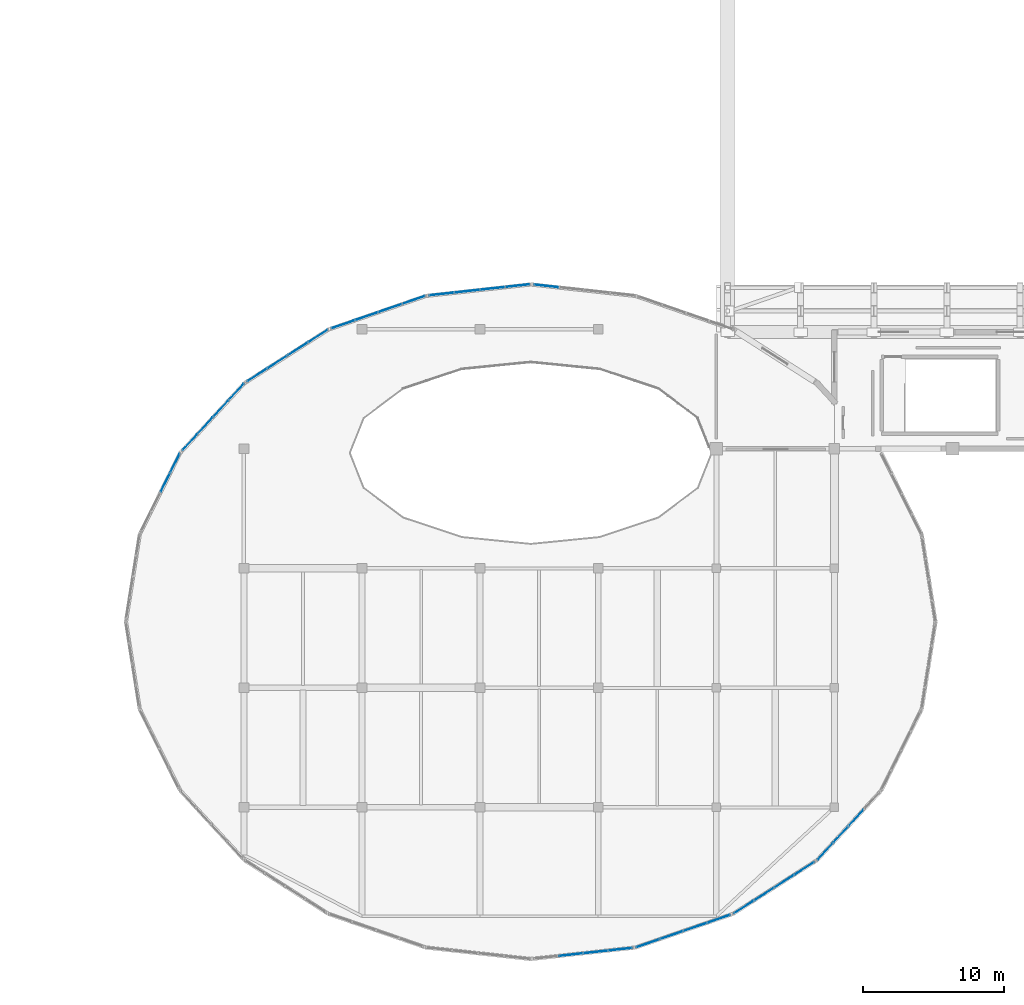
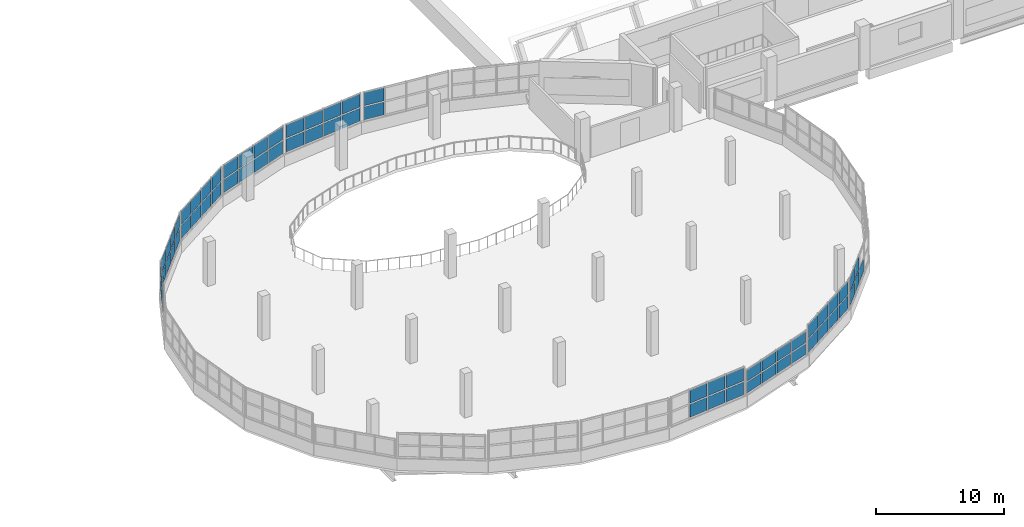
# One storey, part 34 of 52: 65 plates, 10 elements without a shape of their own.
"""IFC4 building model written with IfcOpenShell, lengths in metres."""

from ifc_helpers import new_model, si_unit, direction, frame, origin, origin_2d, place, context, subcontext, project, spatial, rectangle, extrude, material, type_object, element, aggregate, save


model = new_model("IFC4")

# Units and contexts
model_context = context("Model", 3, precision=1e-05, world=origin(), true_north=direction((0.0, 1.0)))
body_context = subcontext(model_context, "Body", "Model", "MODEL_VIEW")
ifc_project = project(units=[si_unit("LENGTHUNIT", "METRE"), si_unit("AREAUNIT", "SQUARE_METRE"), si_unit("VOLUMEUNIT", "CUBIC_METRE"), si_unit("PLANEANGLEUNIT", "RADIAN"), si_unit("MASSUNIT", "GRAM", prefix="KILO")], contexts=[model_context])

# Site, building, storey
site_placement = place(None, origin())
site = spatial("IfcSite", under=ifc_project, at=site_placement, CompositionType="ELEMENT")
building_placement = place(site_placement, origin())
building = spatial("IfcBuilding", under=site, at=building_placement, Name="Solvento Point Concert Hall", CompositionType="ELEMENT")
storey_placement = place(building_placement, frame((0.0, 0.0, 19.5)))
storey = spatial("IfcBuildingStorey", under=building, at=storey_placement, Name="L04", CompositionType="ELEMENT", Elevation=19.5)

# Curtain wall, plates
ifc_material_1 = material(Name="Anodized Bronze Aluminium", Category="aluminium")
curtain_wall_type = type_object("IfcCurtainWallType", Name="CurtainWall_RingRibbon_L03_04", PredefinedType="USERDEFINED", material=ifc_material_1)
curtain_wall_1_placement = place(storey_placement, origin())
curtain_wall_1 = element("IfcCurtainWall", 1, at=curtain_wall_1_placement, inside=storey, type_object=curtain_wall_type, Name="Unitised curtain wall CW-31 UCW-L04-216", ObjectType="UNITISED CURTAIN WALL", PredefinedType="USERDEFINED")
ifc_material_2 = material(Name="Hurricane Laminated Low-E Glass", Category="glass")
plate_type = type_object("IfcPlateType", Name="CurtainPanel_RingUpper", PredefinedType="CURTAIN_PANEL", material=ifc_material_2)
plate_1_placement = place(storey_placement, frame((35.2080078125, 40.08642578125, 1.239990234375), z_axis=(0.0, 0.0, 1.0), x_axis=(0.445115052099, 0.895473388993, 0.0)))
plate_1 = element("IfcPlate", 2, at=plate_1_placement, type_object=plate_type, Name="Glazed curtain panel GL-03", PredefinedType="CURTAIN_PANEL", context=body_context, shape_type="SweptSolid", body=[
    extrude(rectangle(XDim=1.43359375, YDim=0.035888671875, at=origin_2d()), origin(), (0.0, 0.0, 1.0), 1.22998046875),
])
plate_2_placement = place(storey_placement, frame((35.2080078125, 40.08642578125, 2.590087890625), z_axis=(0.0, 0.0, 1.0), x_axis=(0.445115052099, 0.895473388993, 0.0)))
plate_2 = element("IfcPlate", 3, at=plate_2_placement, type_object=plate_type, Name="Glazed curtain panel GL-03", PredefinedType="CURTAIN_PANEL", context=body_context, shape_type="SweptSolid", body=[
    extrude(rectangle(XDim=1.43359375, YDim=0.035888671875, at=origin_2d()), origin(), (0.0, 0.0, 1.0), 1.22998046875),
])
plate_3_placement = place(storey_placement, frame((35.8994140625, 41.4775390625, 1.239990234375), z_axis=(0.0, 0.0, 1.0), x_axis=(0.445115052099, 0.895473388993, 0.0)))
plate_3 = element("IfcPlate", 4, at=plate_3_placement, type_object=plate_type, Name="Glazed curtain panel GL-03", PredefinedType="CURTAIN_PANEL", context=body_context, shape_type="SweptSolid", body=[
    extrude(rectangle(XDim=1.43359375, YDim=0.035888671875, at=origin_2d()), origin(), (0.0, 0.0, 1.0), 1.22998046875),
])
plate_4_placement = place(storey_placement, frame((35.8994140625, 41.4775390625, 2.590087890625), z_axis=(0.0, 0.0, 1.0), x_axis=(0.445115052099, 0.895473388993, 0.0)))
plate_4 = element("IfcPlate", 5, at=plate_4_placement, type_object=plate_type, Name="Glazed curtain panel GL-03", PredefinedType="CURTAIN_PANEL", context=body_context, shape_type="SweptSolid", body=[
    extrude(rectangle(XDim=1.43359375, YDim=0.035888671875, at=origin_2d()), origin(), (0.0, 0.0, 1.0), 1.22998046875),
])
aggregate(curtain_wall_1, [plate_1, plate_2, plate_3, plate_4])

curtain_wall_2_placement = place(storey_placement, origin())
curtain_wall_2 = element("IfcCurtainWall", 6, at=curtain_wall_2_placement, inside=storey, type_object=curtain_wall_type, Name="Unitised curtain wall CW-31 UCW-L04-217", ObjectType="UNITISED CURTAIN WALL", PredefinedType="USERDEFINED")
plate_5_placement = place(storey_placement, frame((36.95849609375, 42.960205078125, 1.239990234375), z_axis=(0.0, 0.0, 1.0), x_axis=(0.677365302802, 0.735646821892, 0.0)))
plate_5 = element("IfcPlate", 7, at=plate_5_placement, type_object=plate_type, Name="Glazed curtain panel GL-03", PredefinedType="CURTAIN_PANEL", context=body_context, shape_type="SweptSolid", body=[
    extrude(rectangle(XDim=1.506591796875, YDim=0.035888671875, at=origin_2d()), origin(), (0.0, 0.0, 1.0), 1.22998046875),
])
plate_6_placement = place(storey_placement, frame((36.95849609375, 42.960205078125, 2.590087890625), z_axis=(0.0, 0.0, 1.0), x_axis=(0.677365302802, 0.735646821892, 0.0)))
plate_6 = element("IfcPlate", 8, at=plate_6_placement, type_object=plate_type, Name="Glazed curtain panel GL-03", PredefinedType="CURTAIN_PANEL", context=body_context, shape_type="SweptSolid", body=[
    extrude(rectangle(XDim=1.506591796875, YDim=0.035888671875, at=origin_2d()), origin(), (0.0, 0.0, 1.0), 1.22998046875),
])
plate_7_placement = place(storey_placement, frame((38.060302734375, 44.156982421875, 1.239990234375), z_axis=(0.0, 0.0, 1.0), x_axis=(0.677365302802, 0.735646821892, 0.0)))
plate_7 = element("IfcPlate", 9, at=plate_7_placement, type_object=plate_type, Name="Glazed curtain panel GL-03", PredefinedType="CURTAIN_PANEL", context=body_context, shape_type="SweptSolid", body=[
    extrude(rectangle(XDim=1.506591796875, YDim=0.035888671875, at=origin_2d()), origin(), (0.0, 0.0, 1.0), 1.22998046875),
])
plate_8_placement = place(storey_placement, frame((38.060302734375, 44.156982421875, 2.590087890625), z_axis=(0.0, 0.0, 1.0), x_axis=(0.677365302802, 0.735646821892, 0.0)))
plate_8 = element("IfcPlate", 10, at=plate_8_placement, type_object=plate_type, Name="Glazed curtain panel GL-03", PredefinedType="CURTAIN_PANEL", context=body_context, shape_type="SweptSolid", body=[
    extrude(rectangle(XDim=1.506591796875, YDim=0.035888671875, at=origin_2d()), origin(), (0.0, 0.0, 1.0), 1.22998046875),
])
plate_9_placement = place(storey_placement, frame((39.162109375, 45.353515625, 1.239990234375), z_axis=(0.0, 0.0, 1.0), x_axis=(0.677365302802, 0.735646821892, 0.0)))
plate_9 = element("IfcPlate", 11, at=plate_9_placement, type_object=plate_type, Name="Glazed curtain panel GL-03", PredefinedType="CURTAIN_PANEL", context=body_context, shape_type="SweptSolid", body=[
    extrude(rectangle(XDim=1.506591796875, YDim=0.035888671875, at=origin_2d()), origin(), (0.0, 0.0, 1.0), 1.22998046875),
])
plate_10_placement = place(storey_placement, frame((39.162109375, 45.353515625, 2.590087890625), z_axis=(0.0, 0.0, 1.0), x_axis=(0.677365302802, 0.735646821892, 0.0)))
plate_10 = element("IfcPlate", 12, at=plate_10_placement, type_object=plate_type, Name="Glazed curtain panel GL-03", PredefinedType="CURTAIN_PANEL", context=body_context, shape_type="SweptSolid", body=[
    extrude(rectangle(XDim=1.506591796875, YDim=0.035888671875, at=origin_2d()), origin(), (0.0, 0.0, 1.0), 1.22998046875),
])
plate_11_placement = place(storey_placement, frame((40.263916015625, 46.55029296875, 1.239990234375), z_axis=(0.0, 0.0, 1.0), x_axis=(0.677365302802, 0.735646821892, 0.0)))
plate_11 = element("IfcPlate", 13, at=plate_11_placement, type_object=plate_type, Name="Glazed curtain panel GL-03", PredefinedType="CURTAIN_PANEL", context=body_context, shape_type="SweptSolid", body=[
    extrude(rectangle(XDim=1.506591796875, YDim=0.035888671875, at=origin_2d()), origin(), (0.0, 0.0, 1.0), 1.22998046875),
])
plate_12_placement = place(storey_placement, frame((40.263916015625, 46.55029296875, 2.590087890625), z_axis=(0.0, 0.0, 1.0), x_axis=(0.677365302802, 0.735646821892, 0.0)))
plate_12 = element("IfcPlate", 14, at=plate_12_placement, type_object=plate_type, Name="Glazed curtain panel GL-03", PredefinedType="CURTAIN_PANEL", context=body_context, shape_type="SweptSolid", body=[
    extrude(rectangle(XDim=1.506591796875, YDim=0.035888671875, at=origin_2d()), origin(), (0.0, 0.0, 1.0), 1.22998046875),
])
aggregate(curtain_wall_2, [plate_5, plate_6, plate_7, plate_8, plate_9, plate_10, plate_11, plate_12])

curtain_wall_3_placement = place(storey_placement, origin())
curtain_wall_3 = element("IfcCurtainWall", 15, at=curtain_wall_3_placement, inside=storey, type_object=curtain_wall_type, Name="Unitised curtain wall CW-31 UCW-L04-218", ObjectType="UNITISED CURTAIN WALL", PredefinedType="USERDEFINED")
plate_13_placement = place(storey_placement, frame((41.739990234375, 47.7490234375, 1.239990234375), z_axis=(0.0, 0.0, 1.0), x_axis=(0.842490008251, 0.538711969421, 0.0)))
plate_13 = element("IfcPlate", 16, at=plate_13_placement, type_object=plate_type, Name="Glazed curtain panel GL-03", PredefinedType="CURTAIN_PANEL", context=body_context, shape_type="SweptSolid", body=[
    extrude(rectangle(XDim=1.58740234375, YDim=0.035888671875, at=origin_2d()), origin(), (0.0, 0.0, 1.0), 1.22998046875),
])
plate_14_placement = place(storey_placement, frame((41.739990234375, 47.7490234375, 2.590087890625), z_axis=(0.0, 0.0, 1.0), x_axis=(0.842490008251, 0.538711969421, 0.0)))
plate_14 = element("IfcPlate", 17, at=plate_14_placement, type_object=plate_type, Name="Glazed curtain panel GL-03", PredefinedType="CURTAIN_PANEL", context=body_context, shape_type="SweptSolid", body=[
    extrude(rectangle(XDim=1.58740234375, YDim=0.035888671875, at=origin_2d()), origin(), (0.0, 0.0, 1.0), 1.22998046875),
])
plate_15_placement = place(storey_placement, frame((43.178466796875, 48.6689453125, 1.239990234375), z_axis=(0.0, 0.0, 1.0), x_axis=(0.842490008251, 0.538711969421, 0.0)))
plate_15 = element("IfcPlate", 18, at=plate_15_placement, type_object=plate_type, Name="Glazed curtain panel GL-03", PredefinedType="CURTAIN_PANEL", context=body_context, shape_type="SweptSolid", body=[
    extrude(rectangle(XDim=1.58740234375, YDim=0.035888671875, at=origin_2d()), origin(), (0.0, 0.0, 1.0), 1.22998046875),
])
plate_16_placement = place(storey_placement, frame((43.178466796875, 48.6689453125, 2.590087890625), z_axis=(0.0, 0.0, 1.0), x_axis=(0.842490008251, 0.538711969421, 0.0)))
plate_16 = element("IfcPlate", 19, at=plate_16_placement, type_object=plate_type, Name="Glazed curtain panel GL-03", PredefinedType="CURTAIN_PANEL", context=body_context, shape_type="SweptSolid", body=[
    extrude(rectangle(XDim=1.58740234375, YDim=0.035888671875, at=origin_2d()), origin(), (0.0, 0.0, 1.0), 1.22998046875),
])
plate_17_placement = place(storey_placement, frame((44.616943359375, 49.588623046875, 1.239990234375), z_axis=(0.0, 0.0, 1.0), x_axis=(0.842490008251, 0.538711969421, 0.0)))
plate_17 = element("IfcPlate", 20, at=plate_17_placement, type_object=plate_type, Name="Glazed curtain panel GL-03", PredefinedType="CURTAIN_PANEL", context=body_context, shape_type="SweptSolid", body=[
    extrude(rectangle(XDim=1.58740234375, YDim=0.035888671875, at=origin_2d()), origin(), (0.0, 0.0, 1.0), 1.22998046875),
])
plate_18_placement = place(storey_placement, frame((44.616943359375, 49.588623046875, 2.590087890625), z_axis=(0.0, 0.0, 1.0), x_axis=(0.842490008251, 0.538711969421, 0.0)))
plate_18 = element("IfcPlate", 21, at=plate_18_placement, type_object=plate_type, Name="Glazed curtain panel GL-03", PredefinedType="CURTAIN_PANEL", context=body_context, shape_type="SweptSolid", body=[
    extrude(rectangle(XDim=1.58740234375, YDim=0.035888671875, at=origin_2d()), origin(), (0.0, 0.0, 1.0), 1.22998046875),
])
plate_19_placement = place(storey_placement, frame((46.055419921875, 50.508544921875, 1.239990234375), z_axis=(0.0, 0.0, 1.0), x_axis=(0.842490008251, 0.538711969421, 0.0)))
plate_19 = element("IfcPlate", 22, at=plate_19_placement, type_object=plate_type, Name="Glazed curtain panel GL-03", PredefinedType="CURTAIN_PANEL", context=body_context, shape_type="SweptSolid", body=[
    extrude(rectangle(XDim=1.58740234375, YDim=0.035888671875, at=origin_2d()), origin(), (0.0, 0.0, 1.0), 1.22998046875),
])
plate_20_placement = place(storey_placement, frame((46.055419921875, 50.508544921875, 2.590087890625), z_axis=(0.0, 0.0, 1.0), x_axis=(0.842490008251, 0.538711969421, 0.0)))
plate_20 = element("IfcPlate", 23, at=plate_20_placement, type_object=plate_type, Name="Glazed curtain panel GL-03", PredefinedType="CURTAIN_PANEL", context=body_context, shape_type="SweptSolid", body=[
    extrude(rectangle(XDim=1.58740234375, YDim=0.035888671875, at=origin_2d()), origin(), (0.0, 0.0, 1.0), 1.22998046875),
])
aggregate(curtain_wall_3, [plate_13, plate_14, plate_15, plate_16, plate_17, plate_18, plate_19, plate_20])

curtain_wall_4_placement = place(storey_placement, origin())
curtain_wall_4 = element("IfcCurtainWall", 24, at=curtain_wall_4_placement, inside=storey, type_object=curtain_wall_type, Name="Unitised curtain wall CW-31 UCW-L04-219", ObjectType="UNITISED CURTAIN WALL", PredefinedType="USERDEFINED")
plate_21_placement = place(storey_placement, frame((47.8466796875, 51.345947265625, 1.239990234375), z_axis=(0.0, 0.0, 1.0), x_axis=(0.945271125843, 0.326285915492, 0.0)))
plate_21 = element("IfcPlate", 25, at=plate_21_placement, type_object=plate_type, Name="Glazed curtain panel GL-03", PredefinedType="CURTAIN_PANEL", context=body_context, shape_type="SweptSolid", body=[
    extrude(rectangle(XDim=1.654541015625, YDim=0.035888671875, at=origin_2d()), origin(), (0.0, 0.0, 1.0), 1.22998046875),
])
plate_22_placement = place(storey_placement, frame((47.8466796875, 51.345947265625, 2.590087890625), z_axis=(0.0, 0.0, 1.0), x_axis=(0.945271125843, 0.326285915492, 0.0)))
plate_22 = element("IfcPlate", 26, at=plate_22_placement, type_object=plate_type, Name="Glazed curtain panel GL-03", PredefinedType="CURTAIN_PANEL", context=body_context, shape_type="SweptSolid", body=[
    extrude(rectangle(XDim=1.654541015625, YDim=0.035888671875, at=origin_2d()), origin(), (0.0, 0.0, 1.0), 1.22998046875),
])
plate_23_placement = place(storey_placement, frame((49.524169921875, 51.9248046875, 1.239990234375), z_axis=(0.0, 0.0, 1.0), x_axis=(0.945271125843, 0.326285915492, 0.0)))
plate_23 = element("IfcPlate", 27, at=plate_23_placement, type_object=plate_type, Name="Glazed curtain panel GL-03", PredefinedType="CURTAIN_PANEL", context=body_context, shape_type="SweptSolid", body=[
    extrude(rectangle(XDim=1.654541015625, YDim=0.035888671875, at=origin_2d()), origin(), (0.0, 0.0, 1.0), 1.22998046875),
])
plate_24_placement = place(storey_placement, frame((49.524169921875, 51.9248046875, 2.590087890625), z_axis=(0.0, 0.0, 1.0), x_axis=(0.945271125843, 0.326285915492, 0.0)))
plate_24 = element("IfcPlate", 28, at=plate_24_placement, type_object=plate_type, Name="Glazed curtain panel GL-03", PredefinedType="CURTAIN_PANEL", context=body_context, shape_type="SweptSolid", body=[
    extrude(rectangle(XDim=1.654541015625, YDim=0.035888671875, at=origin_2d()), origin(), (0.0, 0.0, 1.0), 1.22998046875),
])
plate_25_placement = place(storey_placement, frame((51.201416015625, 52.50390625, 1.239990234375), z_axis=(0.0, 0.0, 1.0), x_axis=(0.945271125843, 0.326285915492, 0.0)))
plate_25 = element("IfcPlate", 29, at=plate_25_placement, type_object=plate_type, Name="Glazed curtain panel GL-03", PredefinedType="CURTAIN_PANEL", context=body_context, shape_type="SweptSolid", body=[
    extrude(rectangle(XDim=1.654541015625, YDim=0.035888671875, at=origin_2d()), origin(), (0.0, 0.0, 1.0), 1.22998046875),
])
plate_26_placement = place(storey_placement, frame((51.201416015625, 52.50390625, 2.590087890625), z_axis=(0.0, 0.0, 1.0), x_axis=(0.945271125843, 0.326285915492, 0.0)))
plate_26 = element("IfcPlate", 30, at=plate_26_placement, type_object=plate_type, Name="Glazed curtain panel GL-03", PredefinedType="CURTAIN_PANEL", context=body_context, shape_type="SweptSolid", body=[
    extrude(rectangle(XDim=1.654541015625, YDim=0.035888671875, at=origin_2d()), origin(), (0.0, 0.0, 1.0), 1.22998046875),
])
plate_27_placement = place(storey_placement, frame((52.87890625, 53.0830078125, 1.239990234375), z_axis=(0.0, 0.0, 1.0), x_axis=(0.945271125843, 0.326285915492, 0.0)))
plate_27 = element("IfcPlate", 31, at=plate_27_placement, type_object=plate_type, Name="Glazed curtain panel GL-03", PredefinedType="CURTAIN_PANEL", context=body_context, shape_type="SweptSolid", body=[
    extrude(rectangle(XDim=1.654541015625, YDim=0.035888671875, at=origin_2d()), origin(), (0.0, 0.0, 1.0), 1.22998046875),
])
plate_28_placement = place(storey_placement, frame((52.87890625, 53.0830078125, 2.590087890625), z_axis=(0.0, 0.0, 1.0), x_axis=(0.945271125843, 0.326285915492, 0.0)))
plate_28 = element("IfcPlate", 32, at=plate_28_placement, type_object=plate_type, Name="Glazed curtain panel GL-03", PredefinedType="CURTAIN_PANEL", context=body_context, shape_type="SweptSolid", body=[
    extrude(rectangle(XDim=1.654541015625, YDim=0.035888671875, at=origin_2d()), origin(), (0.0, 0.0, 1.0), 1.22998046875),
])
aggregate(curtain_wall_4, [plate_21, plate_22, plate_23, plate_24, plate_25, plate_26, plate_27, plate_28])

curtain_wall_5_placement = place(storey_placement, origin())
curtain_wall_5 = element("IfcCurtainWall", 33, at=curtain_wall_5_placement, inside=storey, type_object=curtain_wall_type, Name="Unitised curtain wall CW-31 UCW-L04-220", ObjectType="UNITISED CURTAIN WALL", PredefinedType="USERDEFINED")
plate_29_placement = place(storey_placement, frame((54.865478515625, 53.5048828125, 1.239990234375), z_axis=(0.0, 0.0, 1.0), x_axis=(0.994035418963, 0.109057717961, 0.0)))
plate_29 = element("IfcPlate", 34, at=plate_29_placement, type_object=plate_type, Name="Glazed curtain panel GL-03", PredefinedType="CURTAIN_PANEL", context=body_context, shape_type="SweptSolid", body=[
    extrude(rectangle(XDim=1.692138671875, YDim=0.035888671875, at=origin_2d()), origin(), (0.0, 0.0, 1.0), 1.22998046875),
])
plate_30_placement = place(storey_placement, frame((54.865478515625, 53.5048828125, 2.590087890625), z_axis=(0.0, 0.0, 1.0), x_axis=(0.994035418963, 0.109057717961, 0.0)))
plate_30 = element("IfcPlate", 35, at=plate_30_placement, type_object=plate_type, Name="Glazed curtain panel GL-03", PredefinedType="CURTAIN_PANEL", context=body_context, shape_type="SweptSolid", body=[
    extrude(rectangle(XDim=1.692138671875, YDim=0.035888671875, at=origin_2d()), origin(), (0.0, 0.0, 1.0), 1.22998046875),
])
plate_31_placement = place(storey_placement, frame((56.666748046875, 53.70263671875, 1.239990234375), z_axis=(0.0, 0.0, 1.0), x_axis=(0.994035418963, 0.109057717961, 0.0)))
plate_31 = element("IfcPlate", 36, at=plate_31_placement, type_object=plate_type, Name="Glazed curtain panel GL-03", PredefinedType="CURTAIN_PANEL", context=body_context, shape_type="SweptSolid", body=[
    extrude(rectangle(XDim=1.692138671875, YDim=0.035888671875, at=origin_2d()), origin(), (0.0, 0.0, 1.0), 1.22998046875),
])
plate_32_placement = place(storey_placement, frame((56.666748046875, 53.70263671875, 2.590087890625), z_axis=(0.0, 0.0, 1.0), x_axis=(0.994035418963, 0.109057717961, 0.0)))
plate_32 = element("IfcPlate", 37, at=plate_32_placement, type_object=plate_type, Name="Glazed curtain panel GL-03", PredefinedType="CURTAIN_PANEL", context=body_context, shape_type="SweptSolid", body=[
    extrude(rectangle(XDim=1.692138671875, YDim=0.035888671875, at=origin_2d()), origin(), (0.0, 0.0, 1.0), 1.22998046875),
])
plate_33_placement = place(storey_placement, frame((58.468017578125, 53.900390625, 1.239990234375), z_axis=(0.0, 0.0, 1.0), x_axis=(0.994035418963, 0.109057717961, 0.0)))
plate_33 = element("IfcPlate", 38, at=plate_33_placement, type_object=plate_type, Name="Glazed curtain panel GL-03", PredefinedType="CURTAIN_PANEL", context=body_context, shape_type="SweptSolid", body=[
    extrude(rectangle(XDim=1.692138671875, YDim=0.035888671875, at=origin_2d()), origin(), (0.0, 0.0, 1.0), 1.22998046875),
])
plate_34_placement = place(storey_placement, frame((58.468017578125, 53.900390625, 2.590087890625), z_axis=(0.0, 0.0, 1.0), x_axis=(0.994035418963, 0.109057717961, 0.0)))
plate_34 = element("IfcPlate", 39, at=plate_34_placement, type_object=plate_type, Name="Glazed curtain panel GL-03", PredefinedType="CURTAIN_PANEL", context=body_context, shape_type="SweptSolid", body=[
    extrude(rectangle(XDim=1.692138671875, YDim=0.035888671875, at=origin_2d()), origin(), (0.0, 0.0, 1.0), 1.22998046875),
])
plate_35_placement = place(storey_placement, frame((60.26953125, 54.097900390625, 1.239990234375), z_axis=(0.0, 0.0, 1.0), x_axis=(0.994035418963, 0.109057717961, 0.0)))
plate_35 = element("IfcPlate", 40, at=plate_35_placement, type_object=plate_type, Name="Glazed curtain panel GL-03", PredefinedType="CURTAIN_PANEL", context=body_context, shape_type="SweptSolid", body=[
    extrude(rectangle(XDim=1.692138671875, YDim=0.035888671875, at=origin_2d()), origin(), (0.0, 0.0, 1.0), 1.22998046875),
])
plate_36_placement = place(storey_placement, frame((60.26953125, 54.097900390625, 2.590087890625), z_axis=(0.0, 0.0, 1.0), x_axis=(0.994035418963, 0.109057717961, 0.0)))
plate_36 = element("IfcPlate", 41, at=plate_36_placement, type_object=plate_type, Name="Glazed curtain panel GL-03", PredefinedType="CURTAIN_PANEL", context=body_context, shape_type="SweptSolid", body=[
    extrude(rectangle(XDim=1.692138671875, YDim=0.035888671875, at=origin_2d()), origin(), (0.0, 0.0, 1.0), 1.22998046875),
])
aggregate(curtain_wall_5, [plate_29, plate_30, plate_31, plate_32, plate_33, plate_34, plate_35, plate_36])

curtain_wall_6_placement = place(storey_placement, origin())
curtain_wall_6 = element("IfcCurtainWall", 42, at=curtain_wall_6_placement, inside=storey, type_object=curtain_wall_type, Name="Unitised curtain wall CW-31 UCW-L04-221", ObjectType="UNITISED CURTAIN WALL", PredefinedType="USERDEFINED")
plate_37_placement = place(storey_placement, frame((62.3193359375, 54.0771484375, 1.239990234375), z_axis=(0.0, 0.0, 1.0), x_axis=(0.994035418963, -0.109057717961, 0.0)))
plate_37 = element("IfcPlate", 43, at=plate_37_placement, type_object=plate_type, Name="Glazed curtain panel GL-03", PredefinedType="CURTAIN_PANEL", context=body_context, shape_type="SweptSolid", body=[
    extrude(rectangle(XDim=1.692138671875, YDim=0.035888671875, at=origin_2d()), origin(), (0.0, 0.0, 1.0), 1.22998046875),
])
plate_38_placement = place(storey_placement, frame((62.3193359375, 54.0771484375, 2.590087890625), z_axis=(0.0, 0.0, 1.0), x_axis=(0.994035418963, -0.109057717961, 0.0)))
plate_38 = element("IfcPlate", 44, at=plate_38_placement, type_object=plate_type, Name="Glazed curtain panel GL-03", PredefinedType="CURTAIN_PANEL", context=body_context, shape_type="SweptSolid", body=[
    extrude(rectangle(XDim=1.692138671875, YDim=0.035888671875, at=origin_2d()), origin(), (0.0, 0.0, 1.0), 1.22998046875),
])
aggregate(curtain_wall_6, [plate_37, plate_38])

curtain_wall_7_placement = place(storey_placement, origin())
curtain_wall_7 = element("IfcCurtainWall", 45, at=curtain_wall_7_placement, inside=storey, type_object=curtain_wall_type, Name="Unitised curtain wall CW-31 UCW-L04-227", ObjectType="UNITISED CURTAIN WALL", PredefinedType="USERDEFINED")
plate_39_placement = place(storey_placement, frame((84.339599609375, 16.2431640625, 1.239990234375), z_axis=(0.0, 0.0, 1.0), x_axis=(-0.677365302802, -0.735646821892, 0.0)))
plate_39 = element("IfcPlate", 46, at=plate_39_placement, type_object=plate_type, Name="Glazed curtain panel GL-03", PredefinedType="CURTAIN_PANEL", context=body_context, shape_type="SweptSolid", body=[
    extrude(rectangle(XDim=1.506591796875, YDim=0.035888671875, at=origin_2d()), origin(), (0.0, 0.0, 1.0), 1.22998046875),
])
plate_40_placement = place(storey_placement, frame((83.23779296875, 15.04638671875, 1.239990234375), z_axis=(0.0, 0.0, 1.0), x_axis=(-0.677365302802, -0.735646821892, 0.0)))
plate_40 = element("IfcPlate", 47, at=plate_40_placement, type_object=plate_type, Name="Glazed curtain panel GL-03", PredefinedType="CURTAIN_PANEL", context=body_context, shape_type="SweptSolid", body=[
    extrude(rectangle(XDim=1.506591796875, YDim=0.035888671875, at=origin_2d()), origin(), (0.0, 0.0, 1.0), 1.22998046875),
])
plate_41_placement = place(storey_placement, frame((83.23779296875, 15.04638671875, 2.590087890625), z_axis=(0.0, 0.0, 1.0), x_axis=(-0.677365302802, -0.735646821892, 0.0)))
plate_41 = element("IfcPlate", 48, at=plate_41_placement, type_object=plate_type, Name="Glazed curtain panel GL-03", PredefinedType="CURTAIN_PANEL", context=body_context, shape_type="SweptSolid", body=[
    extrude(rectangle(XDim=1.506591796875, YDim=0.035888671875, at=origin_2d()), origin(), (0.0, 0.0, 1.0), 1.22998046875),
])
plate_42_placement = place(storey_placement, frame((82.135986328125, 13.849853515625, 1.239990234375), z_axis=(0.0, 0.0, 1.0), x_axis=(-0.677365302802, -0.735646821892, 0.0)))
plate_42 = element("IfcPlate", 49, at=plate_42_placement, type_object=plate_type, Name="Glazed curtain panel GL-03", PredefinedType="CURTAIN_PANEL", context=body_context, shape_type="SweptSolid", body=[
    extrude(rectangle(XDim=1.506591796875, YDim=0.035888671875, at=origin_2d()), origin(), (0.0, 0.0, 1.0), 1.22998046875),
])
plate_43_placement = place(storey_placement, frame((82.135986328125, 13.849853515625, 2.590087890625), z_axis=(0.0, 0.0, 1.0), x_axis=(-0.677365302802, -0.735646821892, 0.0)))
plate_43 = element("IfcPlate", 50, at=plate_43_placement, type_object=plate_type, Name="Glazed curtain panel GL-03", PredefinedType="CURTAIN_PANEL", context=body_context, shape_type="SweptSolid", body=[
    extrude(rectangle(XDim=1.506591796875, YDim=0.035888671875, at=origin_2d()), origin(), (0.0, 0.0, 1.0), 1.22998046875),
])
aggregate(curtain_wall_7, [plate_39, plate_40, plate_41, plate_42, plate_43])

curtain_wall_8_placement = place(storey_placement, origin())
curtain_wall_8 = element("IfcCurtainWall", 51, at=curtain_wall_8_placement, inside=storey, type_object=curtain_wall_type, Name="Unitised curtain wall CW-31 UCW-L04-228", ObjectType="UNITISED CURTAIN WALL", PredefinedType="USERDEFINED")
plate_44_placement = place(storey_placement, frame((80.66015625, 12.65087890625, 1.239990234375), z_axis=(0.0, 0.0, 1.0), x_axis=(-0.842490008251, -0.538711969421, 0.0)))
plate_44 = element("IfcPlate", 52, at=plate_44_placement, type_object=plate_type, Name="Glazed curtain panel GL-03", PredefinedType="CURTAIN_PANEL", context=body_context, shape_type="SweptSolid", body=[
    extrude(rectangle(XDim=1.58740234375, YDim=0.035888671875, at=origin_2d()), origin(), (0.0, 0.0, 1.0), 1.22998046875),
])
plate_45_placement = place(storey_placement, frame((80.66015625, 12.65087890625, 2.590087890625), z_axis=(0.0, 0.0, 1.0), x_axis=(-0.842490008251, -0.538711969421, 0.0)))
plate_45 = element("IfcPlate", 53, at=plate_45_placement, type_object=plate_type, Name="Glazed curtain panel GL-03", PredefinedType="CURTAIN_PANEL", context=body_context, shape_type="SweptSolid", body=[
    extrude(rectangle(XDim=1.58740234375, YDim=0.035888671875, at=origin_2d()), origin(), (0.0, 0.0, 1.0), 1.22998046875),
])
plate_46_placement = place(storey_placement, frame((79.2216796875, 11.731201171875, 1.239990234375), z_axis=(0.0, 0.0, 1.0), x_axis=(-0.842490008251, -0.538711969421, 0.0)))
plate_46 = element("IfcPlate", 54, at=plate_46_placement, type_object=plate_type, Name="Glazed curtain panel GL-03", PredefinedType="CURTAIN_PANEL", context=body_context, shape_type="SweptSolid", body=[
    extrude(rectangle(XDim=1.58740234375, YDim=0.035888671875, at=origin_2d()), origin(), (0.0, 0.0, 1.0), 1.22998046875),
])
plate_47_placement = place(storey_placement, frame((79.2216796875, 11.731201171875, 2.590087890625), z_axis=(0.0, 0.0, 1.0), x_axis=(-0.842490008251, -0.538711969421, 0.0)))
plate_47 = element("IfcPlate", 55, at=plate_47_placement, type_object=plate_type, Name="Glazed curtain panel GL-03", PredefinedType="CURTAIN_PANEL", context=body_context, shape_type="SweptSolid", body=[
    extrude(rectangle(XDim=1.58740234375, YDim=0.035888671875, at=origin_2d()), origin(), (0.0, 0.0, 1.0), 1.22998046875),
])
plate_48_placement = place(storey_placement, frame((77.783203125, 10.811279296875, 1.239990234375), z_axis=(0.0, 0.0, 1.0), x_axis=(-0.842490008251, -0.538711969421, 0.0)))
plate_48 = element("IfcPlate", 56, at=plate_48_placement, type_object=plate_type, Name="Glazed curtain panel GL-03", PredefinedType="CURTAIN_PANEL", context=body_context, shape_type="SweptSolid", body=[
    extrude(rectangle(XDim=1.58740234375, YDim=0.035888671875, at=origin_2d()), origin(), (0.0, 0.0, 1.0), 1.22998046875),
])
plate_49_placement = place(storey_placement, frame((77.783203125, 10.811279296875, 2.590087890625), z_axis=(0.0, 0.0, 1.0), x_axis=(-0.842490008251, -0.538711969421, 0.0)))
plate_49 = element("IfcPlate", 57, at=plate_49_placement, type_object=plate_type, Name="Glazed curtain panel GL-03", PredefinedType="CURTAIN_PANEL", context=body_context, shape_type="SweptSolid", body=[
    extrude(rectangle(XDim=1.58740234375, YDim=0.035888671875, at=origin_2d()), origin(), (0.0, 0.0, 1.0), 1.22998046875),
])
plate_50_placement = place(storey_placement, frame((76.344482421875, 9.8916015625, 1.239990234375), z_axis=(0.0, 0.0, 1.0), x_axis=(-0.842490008251, -0.538711969421, 0.0)))
plate_50 = element("IfcPlate", 58, at=plate_50_placement, type_object=plate_type, Name="Glazed curtain panel GL-03", PredefinedType="CURTAIN_PANEL", context=body_context, shape_type="SweptSolid", body=[
    extrude(rectangle(XDim=1.58740234375, YDim=0.035888671875, at=origin_2d()), origin(), (0.0, 0.0, 1.0), 1.22998046875),
])
plate_51_placement = place(storey_placement, frame((76.344482421875, 9.8916015625, 2.590087890625), z_axis=(0.0, 0.0, 1.0), x_axis=(-0.842490008251, -0.538711969421, 0.0)))
plate_51 = element("IfcPlate", 59, at=plate_51_placement, type_object=plate_type, Name="Glazed curtain panel GL-03", PredefinedType="CURTAIN_PANEL", context=body_context, shape_type="SweptSolid", body=[
    extrude(rectangle(XDim=1.58740234375, YDim=0.035888671875, at=origin_2d()), origin(), (0.0, 0.0, 1.0), 1.22998046875),
])
aggregate(curtain_wall_8, [plate_44, plate_45, plate_46, plate_47, plate_48, plate_49, plate_50, plate_51])

curtain_wall_9_placement = place(storey_placement, origin())
curtain_wall_9 = element("IfcCurtainWall", 60, at=curtain_wall_9_placement, inside=storey, type_object=curtain_wall_type, Name="Unitised curtain wall CW-31 UCW-L04-229", ObjectType="UNITISED CURTAIN WALL", PredefinedType="USERDEFINED")
plate_52_placement = place(storey_placement, frame((74.55322265625, 9.05419921875, 1.240234375), z_axis=(0.0, 0.0, 1.0), x_axis=(-0.945271125843, -0.326285915492, 0.0)))
plate_52 = element("IfcPlate", 61, at=plate_52_placement, type_object=plate_type, Name="Glazed curtain panel GL-03", PredefinedType="CURTAIN_PANEL", context=body_context, shape_type="SweptSolid", body=[
    extrude(rectangle(XDim=1.654541015625, YDim=0.035888671875, at=origin_2d()), origin(), (0.0, 0.0, 1.0), 1.023681640625),
])
plate_53_placement = place(storey_placement, frame((74.55322265625, 9.05419921875, 2.3837890625), z_axis=(0.0, 0.0, 1.0), x_axis=(-0.945271125843, -0.326285915492, 0.0)))
plate_53 = element("IfcPlate", 62, at=plate_53_placement, type_object=plate_type, Name="Glazed curtain panel GL-03", PredefinedType="CURTAIN_PANEL", context=body_context, shape_type="SweptSolid", body=[
    extrude(rectangle(XDim=1.654541015625, YDim=0.035888671875, at=origin_2d()), origin(), (0.0, 0.0, 1.0), 1.023681640625),
])
plate_54_placement = place(storey_placement, frame((72.8759765625, 8.47509765625, 1.240234375), z_axis=(0.0, 0.0, 1.0), x_axis=(-0.945271125843, -0.326285915492, 0.0)))
plate_54 = element("IfcPlate", 63, at=plate_54_placement, type_object=plate_type, Name="Glazed curtain panel GL-03", PredefinedType="CURTAIN_PANEL", context=body_context, shape_type="SweptSolid", body=[
    extrude(rectangle(XDim=1.654541015625, YDim=0.035888671875, at=origin_2d()), origin(), (0.0, 0.0, 1.0), 1.023681640625),
])
plate_55_placement = place(storey_placement, frame((72.8759765625, 8.47509765625, 2.3837890625), z_axis=(0.0, 0.0, 1.0), x_axis=(-0.945271125843, -0.326285915492, 0.0)))
plate_55 = element("IfcPlate", 64, at=plate_55_placement, type_object=plate_type, Name="Glazed curtain panel GL-03", PredefinedType="CURTAIN_PANEL", context=body_context, shape_type="SweptSolid", body=[
    extrude(rectangle(XDim=1.654541015625, YDim=0.035888671875, at=origin_2d()), origin(), (0.0, 0.0, 1.0), 1.023681640625),
])
plate_56_placement = place(storey_placement, frame((71.198486328125, 7.89599609375, 1.240234375), z_axis=(0.0, 0.0, 1.0), x_axis=(-0.945271125843, -0.326285915492, 0.0)))
plate_56 = element("IfcPlate", 65, at=plate_56_placement, type_object=plate_type, Name="Glazed curtain panel GL-03", PredefinedType="CURTAIN_PANEL", context=body_context, shape_type="SweptSolid", body=[
    extrude(rectangle(XDim=1.654541015625, YDim=0.035888671875, at=origin_2d()), origin(), (0.0, 0.0, 1.0), 1.023681640625),
])
plate_57_placement = place(storey_placement, frame((71.198486328125, 7.89599609375, 2.3837890625), z_axis=(0.0, 0.0, 1.0), x_axis=(-0.945271125843, -0.326285915492, 0.0)))
plate_57 = element("IfcPlate", 66, at=plate_57_placement, type_object=plate_type, Name="Glazed curtain panel GL-03", PredefinedType="CURTAIN_PANEL", context=body_context, shape_type="SweptSolid", body=[
    extrude(rectangle(XDim=1.654541015625, YDim=0.035888671875, at=origin_2d()), origin(), (0.0, 0.0, 1.0), 1.023681640625),
])
plate_58_placement = place(storey_placement, frame((69.52099609375, 7.317138671875, 1.240234375), z_axis=(0.0, 0.0, 1.0), x_axis=(-0.945271125843, -0.326285915492, 0.0)))
plate_58 = element("IfcPlate", 67, at=plate_58_placement, type_object=plate_type, Name="Glazed curtain panel GL-03", PredefinedType="CURTAIN_PANEL", context=body_context, shape_type="SweptSolid", body=[
    extrude(rectangle(XDim=1.654541015625, YDim=0.035888671875, at=origin_2d()), origin(), (0.0, 0.0, 1.0), 1.023681640625),
])
plate_59_placement = place(storey_placement, frame((69.52099609375, 7.317138671875, 2.3837890625), z_axis=(0.0, 0.0, 1.0), x_axis=(-0.945271125843, -0.326285915492, 0.0)))
plate_59 = element("IfcPlate", 68, at=plate_59_placement, type_object=plate_type, Name="Glazed curtain panel GL-03", PredefinedType="CURTAIN_PANEL", context=body_context, shape_type="SweptSolid", body=[
    extrude(rectangle(XDim=1.654541015625, YDim=0.035888671875, at=origin_2d()), origin(), (0.0, 0.0, 1.0), 1.023681640625),
])
aggregate(curtain_wall_9, [plate_52, plate_53, plate_54, plate_55, plate_56, plate_57, plate_58, plate_59])

curtain_wall_10_placement = place(storey_placement, origin())
curtain_wall_10 = element("IfcCurtainWall", 69, at=curtain_wall_10_placement, inside=storey, type_object=curtain_wall_type, Name="Unitised curtain wall CW-31 UCW-L04-230", ObjectType="UNITISED CURTAIN WALL", PredefinedType="USERDEFINED")
plate_60_placement = place(storey_placement, frame((67.55810546875, 6.897705078125, 1.239990234375), z_axis=(0.0, 0.0, 1.0), x_axis=(-0.994035418963, -0.109057717961, 0.0)))
plate_60 = element("IfcPlate", 70, at=plate_60_placement, type_object=plate_type, Name="Glazed curtain panel GL-03", PredefinedType="CURTAIN_PANEL", context=body_context, shape_type="SweptSolid", body=[
    extrude(rectangle(XDim=1.644775390625, YDim=0.035888671875, at=origin_2d()), origin(), (0.0, 0.0, 1.0), 1.22998046875),
])
plate_61_placement = place(storey_placement, frame((67.55810546875, 6.897705078125, 2.590087890625), z_axis=(0.0, 0.0, 1.0), x_axis=(-0.994035418963, -0.109057717961, 0.0)))
plate_61 = element("IfcPlate", 71, at=plate_61_placement, type_object=plate_type, Name="Glazed curtain panel GL-03", PredefinedType="CURTAIN_PANEL", context=body_context, shape_type="SweptSolid", body=[
    extrude(rectangle(XDim=1.644775390625, YDim=0.035888671875, at=origin_2d()), origin(), (0.0, 0.0, 1.0), 1.22998046875),
])
plate_62_placement = place(storey_placement, frame((65.80419921875, 6.705078125, 1.239990234375), z_axis=(0.0, 0.0, 1.0), x_axis=(-0.994035418963, -0.109057717961, 0.0)))
plate_62 = element("IfcPlate", 72, at=plate_62_placement, type_object=plate_type, Name="Glazed curtain panel GL-03", PredefinedType="CURTAIN_PANEL", context=body_context, shape_type="SweptSolid", body=[
    extrude(rectangle(XDim=1.644775390625, YDim=0.035888671875, at=origin_2d()), origin(), (0.0, 0.0, 1.0), 1.22998046875),
])
plate_63_placement = place(storey_placement, frame((65.80419921875, 6.705078125, 2.590087890625), z_axis=(0.0, 0.0, 1.0), x_axis=(-0.994035418963, -0.109057717961, 0.0)))
plate_63 = element("IfcPlate", 73, at=plate_63_placement, type_object=plate_type, Name="Glazed curtain panel GL-03", PredefinedType="CURTAIN_PANEL", context=body_context, shape_type="SweptSolid", body=[
    extrude(rectangle(XDim=1.644775390625, YDim=0.035888671875, at=origin_2d()), origin(), (0.0, 0.0, 1.0), 1.22998046875),
])
plate_64_placement = place(storey_placement, frame((64.0498046875, 6.5126953125, 1.239990234375), z_axis=(0.0, 0.0, 1.0), x_axis=(-0.994035418963, -0.109057717961, 0.0)))
plate_64 = element("IfcPlate", 74, at=plate_64_placement, type_object=plate_type, Name="Glazed curtain panel GL-03", PredefinedType="CURTAIN_PANEL", context=body_context, shape_type="SweptSolid", body=[
    extrude(rectangle(XDim=1.644775390625, YDim=0.035888671875, at=origin_2d()), origin(), (0.0, 0.0, 1.0), 1.22998046875),
])
plate_65_placement = place(storey_placement, frame((64.0498046875, 6.5126953125, 2.590087890625), z_axis=(0.0, 0.0, 1.0), x_axis=(-0.994035418963, -0.109057717961, 0.0)))
plate_65 = element("IfcPlate", 75, at=plate_65_placement, type_object=plate_type, Name="Glazed curtain panel GL-03", PredefinedType="CURTAIN_PANEL", context=body_context, shape_type="SweptSolid", body=[
    extrude(rectangle(XDim=1.644775390625, YDim=0.035888671875, at=origin_2d()), origin(), (0.0, 0.0, 1.0), 1.22998046875),
])
aggregate(curtain_wall_10, [plate_60, plate_61, plate_62, plate_63, plate_64, plate_65])

save(model, "model.ifc")
